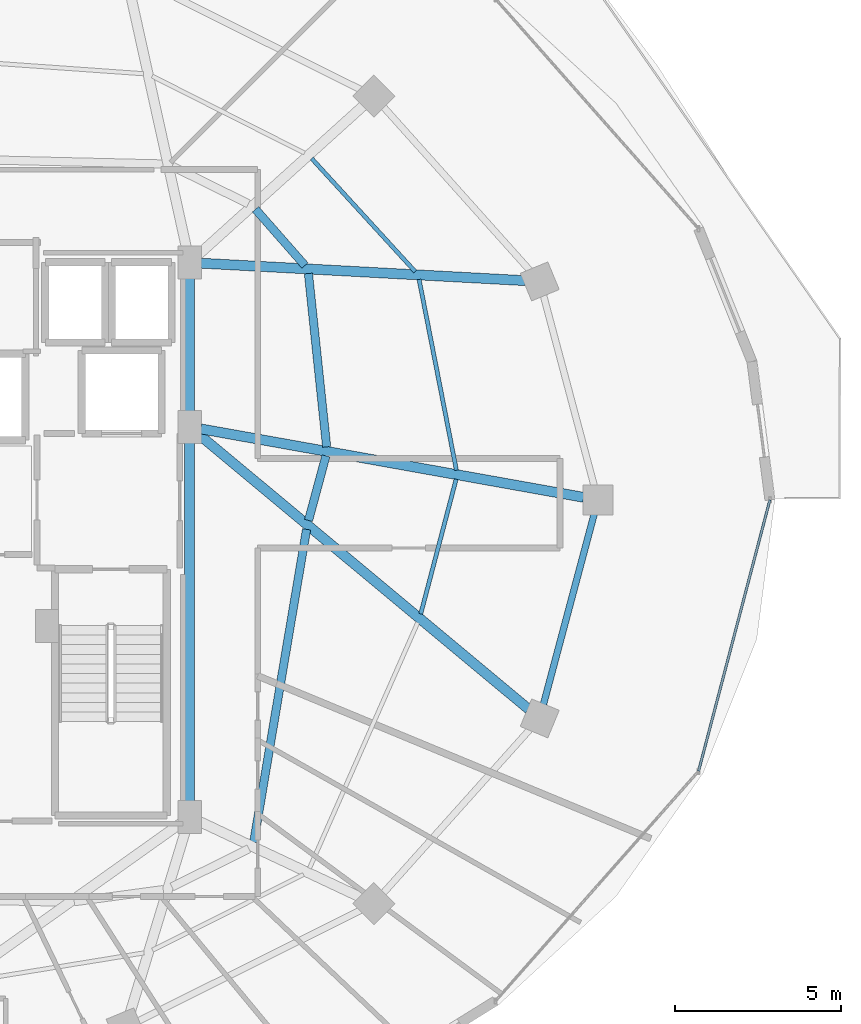
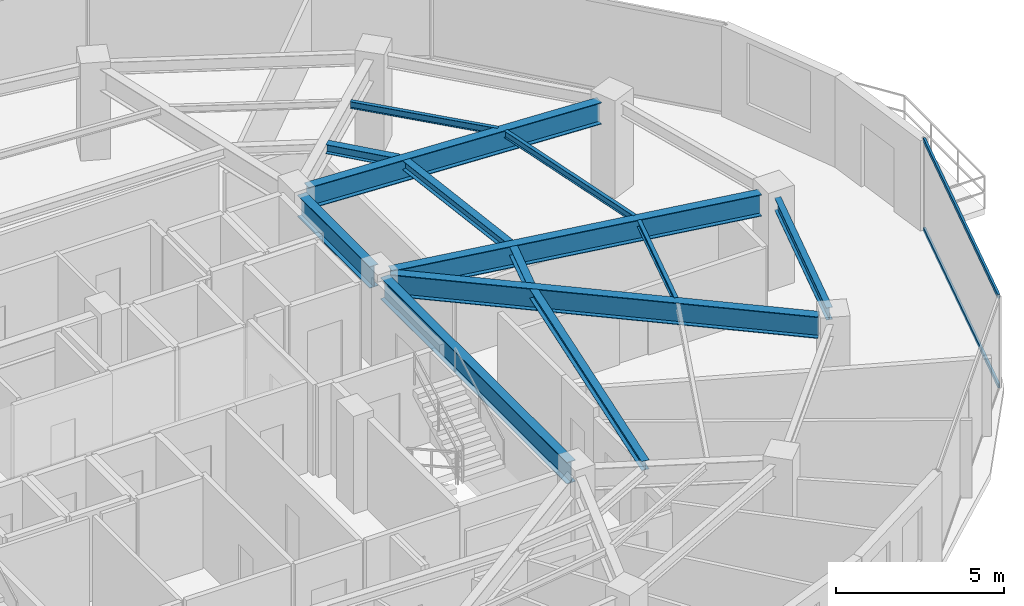
# One storey, part 14 of 33: 13 beams, 2 members, 1 element without a shape of its own.
"""IFC4 building model written with IfcOpenShell, lengths in metres."""

from ifc_helpers import new_model, si_unit, direction, frame, origin, origin_2d, place, context, subcontext, project, spatial, hollow_rectangle, i_section, extrude, material, material_profile, profile_set, type_object, element, aggregate, save


model = new_model("IFC4")

# Units and contexts
model_context = context("Model", 3, precision=1e-05, world=origin(), true_north=direction((0.0, 1.0)))
body_context = subcontext(model_context, "Body", "Model", "MODEL_VIEW")
ifc_project = project(units=[si_unit("LENGTHUNIT", "METRE"), si_unit("AREAUNIT", "SQUARE_METRE"), si_unit("VOLUMEUNIT", "CUBIC_METRE"), si_unit("PLANEANGLEUNIT", "RADIAN"), si_unit("MASSUNIT", "GRAM", prefix="KILO")], contexts=[model_context])

# Site, building, storey
site_placement = place(None, origin())
site = spatial("IfcSite", under=ifc_project, at=site_placement, CompositionType="ELEMENT")
building_placement = place(site_placement, origin())
building = spatial("IfcBuilding", under=site, at=building_placement, Name="Vorneva Point Tower", CompositionType="ELEMENT")
storey_placement = place(building_placement, frame((0.0, 0.0, 200.10009765625)))
storey = spatial("IfcBuildingStorey", under=building, at=storey_placement, Name="L54", CompositionType="ELEMENT", Elevation=200.10009765625)

# Beams
ifc_material_1 = material(Name="Steel S355", Category="steel")
ifc_material_profile_1 = material_profile(ifc_material_1, i_section(OverallWidth=0.300048828125, OverallDepth=0.7880859375, WebThickness=0.014404296875, FlangeThickness=0.02197265625, at=origin_2d()), Name="80Sh1")
ifc_profile_set_1 = profile_set([ifc_material_profile_1], Name="Steel S355")
beam_type_1 = type_object("IfcBeamType", Name="BM-GRD-80Sh1", PredefinedType="USERDEFINED", material=ifc_profile_set_1)
beam_1_placement = place(storey_placement, frame((60.618896484375, 26.0771484375, 2.89599609375), z_axis=(-0.984378602255, 0.176064668298, 0.0), x_axis=(-0.176064668298, -0.984378602255, 0.0)))
element("IfcBeam", 1, at=beam_1_placement, inside=storey, type_object=beam_type_1, Name="L54 Radial Primary Girder 01", ObjectType="GIRDER", PredefinedType="USERDEFINED", context=body_context, shape_type="SweptSolid", body=[
    extrude(i_section(OverallWidth=0.300048828125, OverallDepth=0.7880859375, WebThickness=0.014404296875, FlangeThickness=0.02197265625, at=origin_2d()), origin(), (0.0, 0.0, 1.0), 11.71728515625),
])
beam_2_placement = place(storey_placement, frame((58.85791015625, 32.605712890625, 2.89599609375), z_axis=(-0.998554028182, 0.053757351146, 0.0), x_axis=(-0.053757351146, -0.998554028182, 0.0)))
element("IfcBeam", 2, at=beam_2_placement, inside=storey, type_object=beam_type_1, Name="L54 Radial Primary Girder 02", ObjectType="GIRDER", PredefinedType="USERDEFINED", context=body_context, shape_type="SweptSolid", body=[
    extrude(i_section(OverallWidth=0.300048828125, OverallDepth=0.7880859375, WebThickness=0.014404296875, FlangeThickness=0.02197265625, at=origin_2d()), origin(), (0.0, 0.0, 1.0), 9.782470703125),
])
beam_3_placement = place(storey_placement, frame((58.958740234375, 19.697998046875, 2.89599609375), z_axis=(-0.768417564517, 0.639948784311, 0.0), x_axis=(-0.639948784311, -0.768417564517, 0.0)))
element("IfcBeam", 3, at=beam_3_placement, inside=storey, type_object=beam_type_1, Name="L54 Radial Primary Girder 16", ObjectType="GIRDER", PredefinedType="USERDEFINED", context=body_context, shape_type="SweptSolid", body=[
    extrude(i_section(OverallWidth=0.300048828125, OverallDepth=0.7880859375, WebThickness=0.014404296875, FlangeThickness=0.02197265625, at=origin_2d()), origin(), (0.0, 0.0, 1.0), 12.945556640625),
])
beam_4_placement = place(storey_placement, frame((48.75, 16.77001953125, 2.89599609375), z_axis=(0.0, 1.0, 0.0), x_axis=(-1.0, 0.0, 0.0)))
element("IfcBeam", 4, at=beam_4_placement, inside=storey, type_object=beam_type_1, Name="L54 Core Tie Girder CT3", ObjectType="GIRDER", PredefinedType="USERDEFINED", context=body_context, shape_type="SweptSolid", body=[
    extrude(i_section(OverallWidth=0.300048828125, OverallDepth=0.7880859375, WebThickness=0.014404296875, FlangeThickness=0.02197265625, at=origin_2d()), origin(), (0.0, 0.0, 1.0), 11.10986328125),
])
beam_5_placement = place(storey_placement, frame((48.75, 28.52001953125, 2.89599609375), z_axis=(0.0, 1.0, 0.0), x_axis=(-1.0, 0.0, 0.0)))
element("IfcBeam", 5, at=beam_5_placement, inside=storey, type_object=beam_type_1, Name="L54 Core Tie Girder CT4", ObjectType="GIRDER", PredefinedType="USERDEFINED", context=body_context, shape_type="SweptSolid", body=[
    extrude(i_section(OverallWidth=0.300048828125, OverallDepth=0.7880859375, WebThickness=0.014404296875, FlangeThickness=0.02197265625, at=origin_2d()), origin(), (0.0, 0.0, 1.0), 4.31005859375),
])
ifc_material_profile_2 = material_profile(ifc_material_1, i_section(OverallWidth=0.1240234375, OverallDepth=0.248046875, WebThickness=0.0048828125, FlangeThickness=0.008056640625, at=origin_2d()), Name="25B1")
ifc_profile_set_2 = profile_set([ifc_material_profile_2], Name="Steel S355")
beam_type_2 = type_object("IfcBeamType", Name="BM-JST-25B1", PredefinedType="JOIST", material=ifc_profile_set_2)
beam_6_placement = place(storey_placement, frame((56.785888671875, 26.893310546875, 3.166015625), z_axis=(-0.191995903464, 0.98139572704, 0.0), x_axis=(-0.98139572704, -0.191995903464, 0.0)))
element("IfcBeam", 6, at=beam_6_placement, inside=storey, type_object=beam_type_2, Name="L54 Secondary Floor Beam 1.01", PredefinedType="JOIST", context=body_context, shape_type="SweptSolid", body=[
    extrude(i_section(OverallWidth=0.1240234375, OverallDepth=0.248046875, WebThickness=0.0048828125, FlangeThickness=0.008056640625, at=origin_2d()), origin(), (0.0, 0.0, 1.0), 5.859619140625),
])
beam_7_placement = place(storey_placement, frame((55.541259765625, 32.881103515625, 3.166015625), z_axis=(-0.675087002203, 0.7377381239, 0.0), x_axis=(-0.7377381239, -0.675087002203, 0.0)))
element("IfcBeam", 7, at=beam_7_placement, inside=storey, type_object=beam_type_2, Name="L54 Secondary Floor Beam 1.02", PredefinedType="JOIST", context=body_context, shape_type="SweptSolid", body=[
    extrude(i_section(OverallWidth=0.1240234375, OverallDepth=0.248046875, WebThickness=0.0048828125, FlangeThickness=0.008056640625, at=origin_2d()), origin(), (0.0, 0.0, 1.0), 4.61376953125),
])
beam_8_placement = place(storey_placement, frame((55.711181640625, 22.5654296875, 3.166015625), z_axis=(0.254098126007, 0.967178443908, 0.0), x_axis=(-0.967178443908, 0.254098126007, 0.0)))
element("IfcBeam", 8, at=beam_8_placement, inside=storey, type_object=beam_type_2, Name="L54 Secondary Floor Beam 1.16", PredefinedType="JOIST", context=body_context, shape_type="SweptSolid", body=[
    extrude(i_section(OverallWidth=0.1240234375, OverallDepth=0.248046875, WebThickness=0.0048828125, FlangeThickness=0.008056640625, at=origin_2d()), origin(), (0.0, 0.0, 1.0), 4.19677734375),
])
ifc_material_profile_3 = material_profile(ifc_material_1, i_section(OverallWidth=0.2490234375, OverallDepth=0.333984375, WebThickness=0.008056640625, FlangeThickness=0.010986328125, at=origin_2d()), Name="35Sh1")
ifc_profile_set_3 = profile_set([ifc_material_profile_3], Name="Steel S355")
beam_type_3 = type_object("IfcBeamType", Name="BM-SEC-35Sh1", PredefinedType="BEAM", material=ifc_profile_set_3)
beam_9_placement = place(storey_placement, frame((52.87646484375, 27.5966796875, 3.122802734375), z_axis=(-0.104527524284, 0.994521994059, 0.0), x_axis=(-0.994521994059, -0.104527524284, 0.0)))
element("IfcBeam", 9, at=beam_9_placement, inside=storey, type_object=beam_type_3, Name="L54 Secondary Floor Beam 2.01", PredefinedType="BEAM", context=body_context, shape_type="SweptSolid", body=[
    extrude(i_section(OverallWidth=0.2490234375, OverallDepth=0.333984375, WebThickness=0.008056640625, FlangeThickness=0.010986328125, at=origin_2d()), origin(), (0.0, 0.0, 1.0), 5.2529296875),
])
beam_10_placement = place(storey_placement, frame((52.221923828125, 33.061767578125, 3.122802734375), z_axis=(-0.659883178199, 0.751368212749, 0.0), x_axis=(-0.751368212749, -0.659883178199, 0.0)))
element("IfcBeam", 10, at=beam_10_placement, inside=storey, type_object=beam_type_3, Name="L54 Secondary Floor Beam 2.02", PredefinedType="BEAM", context=body_context, shape_type="SweptSolid", body=[
    extrude(i_section(OverallWidth=0.2490234375, OverallDepth=0.333984375, WebThickness=0.008056640625, FlangeThickness=0.010986328125, at=origin_2d()), origin(), (0.0, 0.0, 1.0), 2.2548828125),
])
beam_11_placement = place(storey_placement, frame((50.679443359375, 15.688720703125, 3.122802734375), z_axis=(0.166527814046, 0.986036757504, 0.0), x_axis=(-0.986036757504, 0.166527814046, 0.0)))
element("IfcBeam", 11, at=beam_11_placement, inside=storey, type_object=beam_type_3, Name="L54 Secondary Floor Beam 2.15", PredefinedType="BEAM", context=body_context, shape_type="SweptSolid", body=[
    extrude(i_section(OverallWidth=0.2490234375, OverallDepth=0.333984375, WebThickness=0.008056640625, FlangeThickness=0.010986328125, at=origin_2d()), origin(), (0.0, 0.0, 1.0), 9.557373046875),
])
beam_12_placement = place(storey_placement, frame((52.330078125, 25.3818359375, 3.122802734375), z_axis=(0.260634215409, 0.96543762396, 0.0), x_axis=(-0.96543762396, 0.260634215409, 0.0)))
element("IfcBeam", 12, at=beam_12_placement, inside=storey, type_object=beam_type_3, Name="L54 Secondary Floor Beam 2.16", PredefinedType="BEAM", context=body_context, shape_type="SweptSolid", body=[
    extrude(i_section(OverallWidth=0.2490234375, OverallDepth=0.333984375, WebThickness=0.008056640625, FlangeThickness=0.010986328125, at=origin_2d()), origin(), (0.0, 0.0, 1.0), 2.013916015625),
])
ifc_material_profile_4 = material_profile(ifc_material_1, i_section(OverallWidth=0.198974609375, OverallDepth=0.446044921875, WebThickness=0.008056640625, FlangeThickness=0.011962890625, at=origin_2d()), Name="45B1")
ifc_profile_set_4 = profile_set([ifc_material_profile_4], Name="Steel S355")
beam_type_4 = type_object("IfcBeamType", Name="BM-SPN-45B1", PredefinedType="SPANDREL", material=ifc_profile_set_4)
beam_13_placement = place(storey_placement, frame((59.407470703125, 19.838134765625, 3.06689453125), z_axis=(0.257578258003, 0.966257440336, 0.0), x_axis=(-0.966257440336, 0.257578258003, 0.0)))
element("IfcBeam", 13, at=beam_13_placement, inside=storey, type_object=beam_type_4, Name="L54 Perimeter Spandrel Ring Beam 16", PredefinedType="SPANDREL", context=body_context, shape_type="SweptSolid", body=[
    extrude(i_section(OverallWidth=0.198974609375, OverallDepth=0.446044921875, WebThickness=0.008056640625, FlangeThickness=0.011962890625, at=origin_2d()), origin(), (0.0, 0.0, 1.0), 5.94189453125),
])

# Curtain wall, members
ifc_material_2 = material(Name="Pale anodised aluminium", Category="aluminium")
curtain_wall_type = type_object("IfcCurtainWallType", Name="CW-RES-SYS", PredefinedType="NOTDEFINED", material=ifc_material_2)
curtain_wall_placement = place(storey_placement, origin())
curtain_wall = element("IfcCurtainWall", 14, at=curtain_wall_placement, inside=storey, type_object=curtain_wall_type, Name="L54 Unitised Curtain Wall CW-L54-R04", PredefinedType="NOTDEFINED")
ifc_material_profile_5 = material_profile(ifc_material_2, hollow_rectangle(XDim=0.074951171875, YDim=0.14990234375, WallThickness=0.00390625, at=origin_2d()), Name="AL-TRN 150x75x4")
ifc_profile_set_5 = profile_set([ifc_material_profile_5], Name="Pale anodised aluminium")
member_type = type_object("IfcMemberType", Name="CW-TRN-150", PredefinedType="USERDEFINED", material=ifc_profile_set_5)
member_1_placement = place(storey_placement, frame((64.0810546875, 17.82958984375, 0.02001953125), z_axis=(0.254362431281, 0.967108966742, 0.0), x_axis=(-0.967108966742, 0.254362431281, 0.0)))
member_1 = element("IfcMember", 15, at=member_1_placement, type_object=member_type, Name="CW-L54-R04 Transom 02.1", ObjectType="TRANSOM", PredefinedType="USERDEFINED", context=body_context, shape_type="SweptSolid", body=[
    extrude(hollow_rectangle(XDim=0.074951171875, YDim=0.14990234375, WallThickness=0.00390625, at=origin_2d()), origin(), (0.0, 0.0, 1.0), 8.4482421875),
])
member_2_placement = place(storey_placement, frame((64.0810546875, 17.82958984375, 3.27001953125), z_axis=(0.254362431281, 0.967108966742, 0.0), x_axis=(-0.967108966742, 0.254362431281, 0.0)))
member_2 = element("IfcMember", 16, at=member_2_placement, type_object=member_type, Name="CW-L54-R04 Transom 02.2", ObjectType="TRANSOM", PredefinedType="USERDEFINED", context=body_context, shape_type="SweptSolid", body=[
    extrude(hollow_rectangle(XDim=0.074951171875, YDim=0.14990234375, WallThickness=0.00390625, at=origin_2d()), origin(), (0.0, 0.0, 1.0), 8.4482421875),
])
aggregate(curtain_wall, [member_1, member_2])

save(model, "model.ifc")
